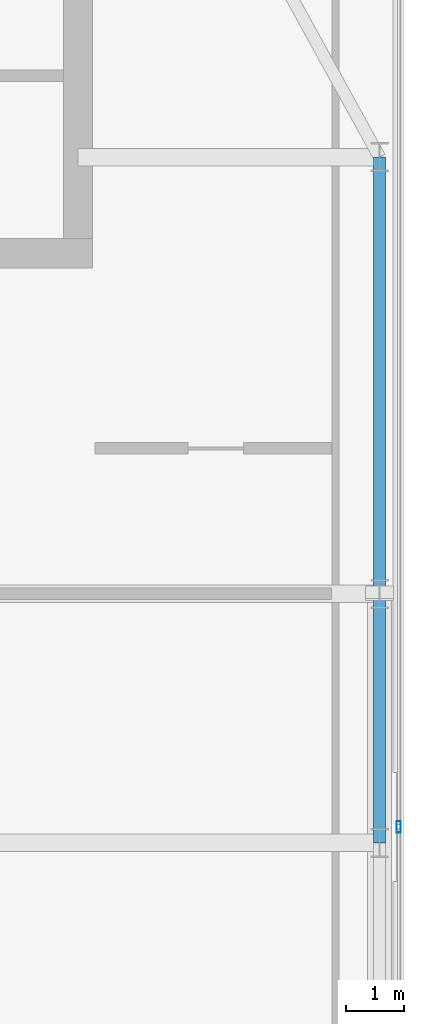
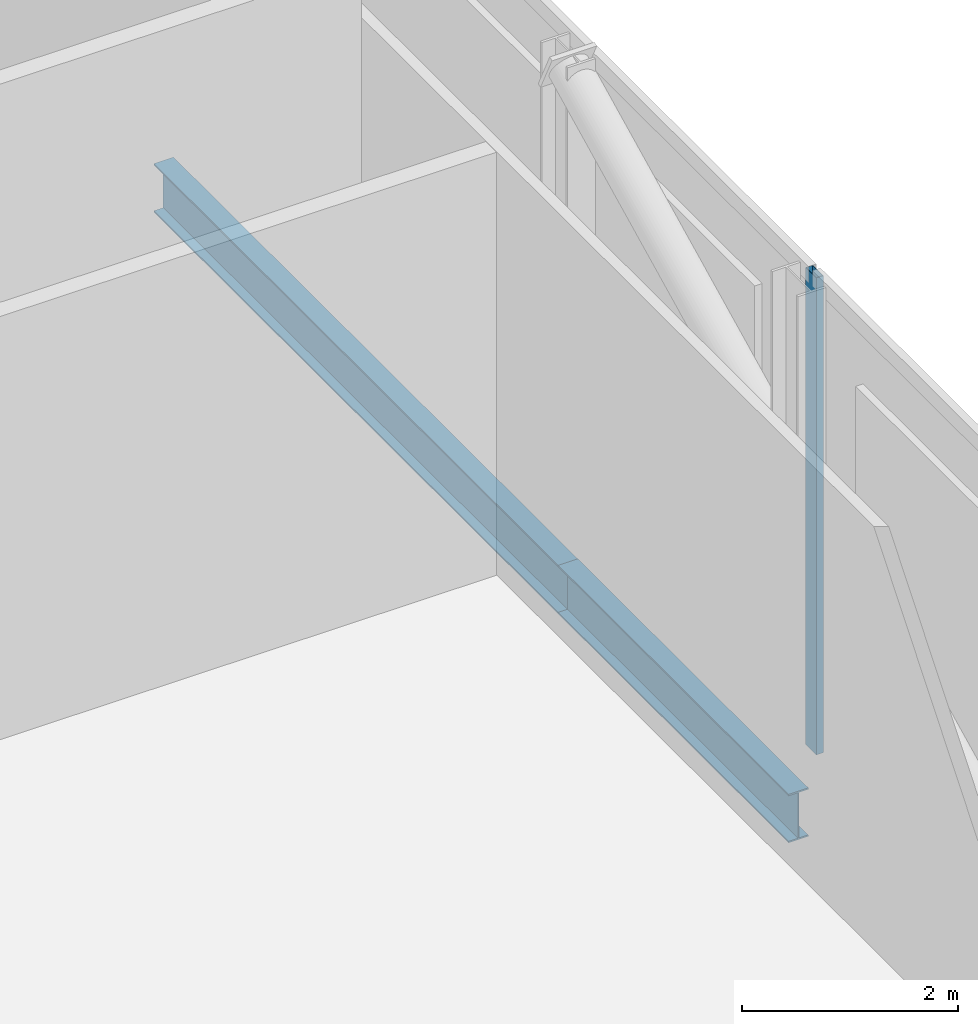
# One storey, part 14 of 22: 2 beams, 1 member, 1 element without a shape of its own.
"""IFC4 building model written with IfcOpenShell, lengths in metres."""

from ifc_helpers import new_model, si_unit, direction, frame, origin, origin_2d, place, context, subcontext, project, spatial, hollow_rectangle, i_section, extrude, material, material_profile, profile_set, type_object, element, aggregate, save


model = new_model("IFC4")

# Units and contexts
model_context = context("Model", 3, precision=1e-05, world=origin(), true_north=direction((0.0, 1.0)))
body_context = subcontext(model_context, "Body", "Model", "MODEL_VIEW")
ifc_project = project(units=[si_unit("LENGTHUNIT", "METRE"), si_unit("AREAUNIT", "SQUARE_METRE"), si_unit("VOLUMEUNIT", "CUBIC_METRE"), si_unit("PLANEANGLEUNIT", "RADIAN"), si_unit("MASSUNIT", "GRAM", prefix="KILO")], contexts=[model_context])

# Site, building, storey
site_placement = place(None, origin())
site = spatial("IfcSite", under=ifc_project, at=site_placement, CompositionType="ELEMENT")
building_placement = place(site_placement, origin())
building = spatial("IfcBuilding", under=site, at=building_placement, Name="Khoronbel Lancet Exchange", CompositionType="ELEMENT")
storey_placement = place(building_placement, frame((0.0, 0.0, 367.39990234375)))
storey = spatial("IfcBuildingStorey", under=building, at=storey_placement, Name="L94", CompositionType="ELEMENT", Elevation=367.39990234375)

# Beams
ifc_material_1 = material(Name="Steel S355", Category="steel")
ifc_material_profile_1 = material_profile(ifc_material_1, i_section(OverallWidth=0.2099609375, OverallDepth=0.550048828125, WebThickness=0.010986328125, FlangeThickness=0.01708984375, at=origin_2d()), Name="IPE 550")
ifc_profile_set_1 = profile_set([ifc_material_profile_1], Name="Steel S355")
beam_type = type_object("IfcBeamType", Name="BM-BSP3", PredefinedType="SPANDREL", material=ifc_profile_set_1)
beam_1_placement = place(storey_placement, frame((61.6298828125, 31.425048828125, -0.474853515625), z_axis=(0.0, 1.0, 0.0), x_axis=(-1.0, 0.0, 0.0)))
element("IfcBeam", 1, at=beam_1_placement, inside=storey, type_object=beam_type, Name="Level L94 perimeter spandrel beam SP11", PredefinedType="SPANDREL", context=body_context, shape_type="SweptSolid", body=[
    extrude(i_section(OverallWidth=0.2099609375, OverallDepth=0.550048828125, WebThickness=0.010986328125, FlangeThickness=0.01708984375, at=origin_2d()), origin(), (0.0, 0.0, 1.0), 4.27490234375),
])
beam_2_placement = place(storey_placement, frame((61.6298828125, 35.699951171875, -0.474853515625), z_axis=(0.0, 1.0, 0.0), x_axis=(-1.0, 0.0, 0.0)))
element("IfcBeam", 2, at=beam_2_placement, inside=storey, type_object=beam_type, Name="Level L94 perimeter spandrel beam SP12", PredefinedType="SPANDREL", context=body_context, shape_type="SweptSolid", body=[
    extrude(i_section(OverallWidth=0.2099609375, OverallDepth=0.550048828125, WebThickness=0.010986328125, FlangeThickness=0.01708984375, at=origin_2d()), origin(), (0.0, 0.0, 1.0), 7.5),
])

# Curtain wall, member
ifc_material_2 = material(Name="Low-E Solar Control Insulating Glass", Category="glass")
curtain_wall_type = type_object("IfcCurtainWallType", Name="CW-6", PredefinedType="NOTDEFINED", material=ifc_material_2)
curtain_wall_placement = place(storey_placement, origin())
curtain_wall = element("IfcCurtainWall", 3, at=curtain_wall_placement, inside=storey, type_object=curtain_wall_type, Name="Unitised curtain wall CW-L94-E09", PredefinedType="NOTDEFINED")
ifc_material_3 = material(Name="Bronze-Anodised Aluminium 6063-T6", Category="aluminium")
ifc_material_profile_2 = material_profile(ifc_material_3, hollow_rectangle(XDim=0.074951171875, YDim=0.199951171875, WallThickness=0.0048828125, at=origin_2d()), Name="ALU MULLION 75x200")
ifc_profile_set_2 = profile_set([ifc_material_profile_2], Name="Bronze-Anodised Aluminium 6063-T6")
member_type = type_object("IfcMemberType", Name="MEM-CWM2", PredefinedType="MULLION", material=ifc_profile_set_2)
member_placement = place(storey_placement, frame((61.9599609375, 31.699951171875, 0.0), z_axis=(0.0, 0.0, 1.0), x_axis=(1.0, 0.0, 0.0)))
member = element("IfcMember", 4, at=member_placement, type_object=member_type, Name="CW6 mullion 2", PredefinedType="MULLION", context=body_context, shape_type="SweptSolid", body=[
    extrude(hollow_rectangle(XDim=0.074951171875, YDim=0.199951171875, WallThickness=0.0048828125, at=origin_2d()), origin(), (0.0, 0.0, 1.0), 5.400146484375),
])
aggregate(curtain_wall, [member])

save(model, "model.ifc")
